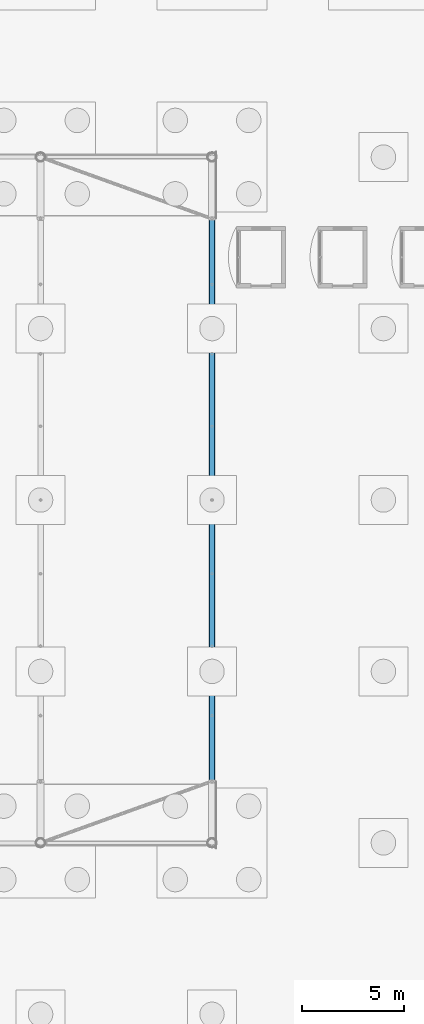
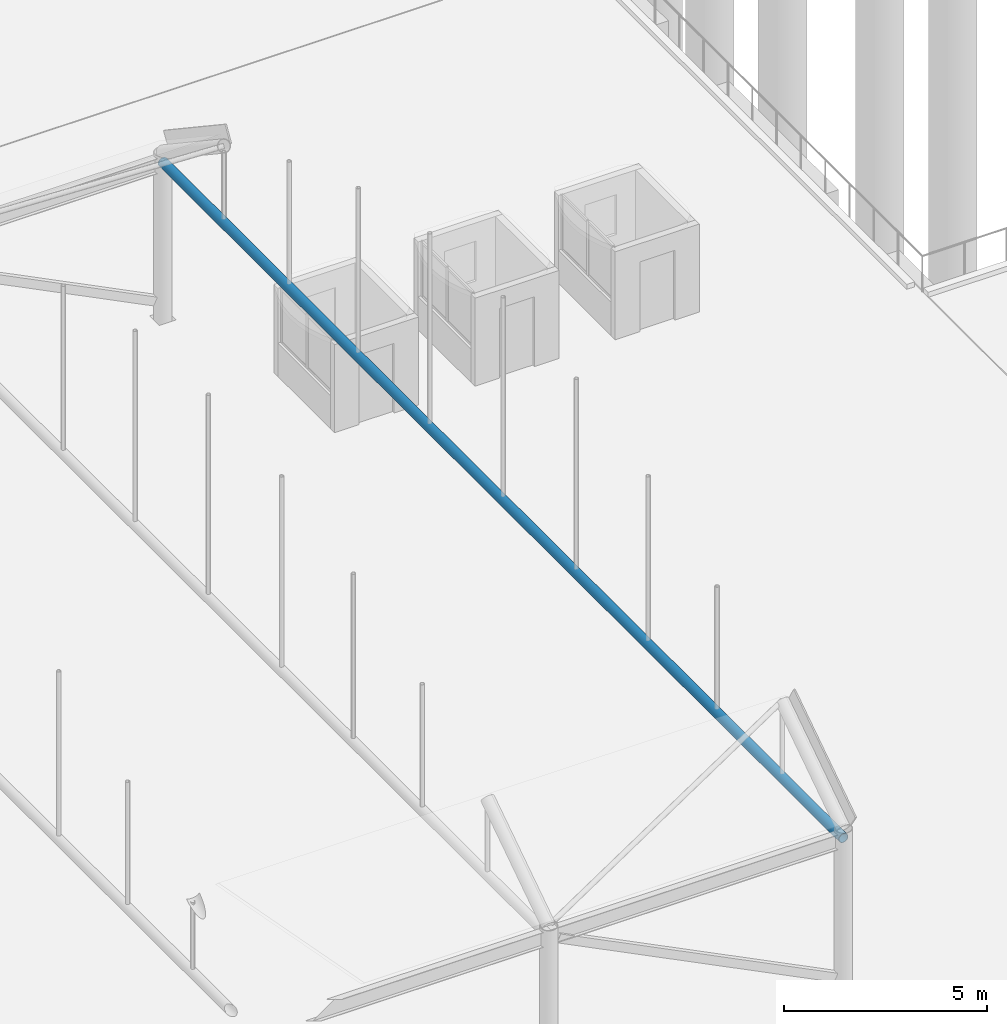
# One storey, part 78 of 212: 1 beam.
"""IFC4 building model written with IfcOpenShell, lengths in metres."""

import ifcopenshell
import ifcopenshell.guid

model = None  # the IFC model being written
_history = None  # IfcOwnerHistory: only IFC2X3 demands one
_inside = {}  # id of a spatial element -> (the spatial element, [elements in it])
_under = {}  # id of a project, library or spatial element -> (it, [spatial elements below it])
_declared = {}  # id of a project -> (the project, [libraries it declares])
_typed = {}  # id of a type object -> (the type object, [elements of that type])
_made_of = {}  # id of a material, layer set ... -> (it, [elements and type objects made of it])


def new_model(schema):
    """Start an empty IFC model of exactly this schema.

    Asked for "IFC4X3", IfcOpenShell would pick the latest addendum, in which some entities
    have other attributes; the version numbers below select the first issue.
    IFC2X3 requires an IfcOwnerHistory on every rooted entity: one is made here for all.
    """
    global model, _history
    if schema == "IFC4X3":
        model = ifcopenshell.file(schema_version=(4, 3, 0, 0))
    else:
        model = ifcopenshell.file(schema=schema)
    _inside.clear()
    _under.clear()
    _declared.clear()
    _typed.clear()
    _made_of.clear()
    _history = None
    if model.schema == "IFC2X3":
        org = make("IfcOrganization", Name="unknown")
        user = make(
            "IfcPersonAndOrganization",
            ThePerson=make("IfcPerson", FamilyName="unknown"),
            TheOrganization=org,
        )
        app = make(
            "IfcApplication",
            ApplicationDeveloper=org,
            Version="unknown",
            ApplicationFullName="unknown",
            ApplicationIdentifier="unknown",
        )
        _history = make(
            "IfcOwnerHistory",
            OwningUser=user,
            OwningApplication=app,
            ChangeAction="ADDED",
            CreationDate=0,
        )
    return model


def make(cls, **values):
    """One entity of the class cls with the attributes given. An attribute that is None is left unset."""
    return model.create_entity(
        cls, **{name: value for name, value in values.items() if value is not None}
    )


def rooted(cls, **values):
    """An entity with a GlobalId (a new one), such as an element, a storey or a relation."""
    return make(cls, GlobalId=ifcopenshell.guid.new(), OwnerHistory=_history, **values)


def si_unit(unit_type, name, prefix=None):
    """IfcSIUnit, for example si_unit("LENGTHUNIT", "METRE", prefix="MILLI")."""
    return make("IfcSIUnit", UnitType=unit_type, Prefix=prefix, Name=name)


def assignment(units):
    """IfcUnitAssignment: the units of a project."""
    return None if units is None else make("IfcUnitAssignment", Units=units)


def point(xyz):
    """IfcCartesianPoint."""
    return None if xyz is None else make("IfcCartesianPoint", Coordinates=xyz)


def direction(xyz):
    """IfcDirection."""
    return None if xyz is None else make("IfcDirection", DirectionRatios=xyz)


def frame(location, z_axis=None, x_axis=None):
    """IfcAxis2Placement3D, a coordinate frame: its origin and axes. An axis left out is left unset."""
    return make(
        "IfcAxis2Placement3D",
        Location=point(location),
        Axis=direction(z_axis),
        RefDirection=direction(x_axis),
    )


def frame_2d(location, x_axis=None):
    """IfcAxis2Placement2D, a coordinate frame in the plane: its origin and x axis."""
    return make(
        "IfcAxis2Placement2D", Location=point(location), RefDirection=direction(x_axis)
    )


def origin():
    """The frame at (0, 0, 0) with its axes left unset."""
    return frame((0.0, 0.0, 0.0))


def origin_2d():
    """The frame at (0, 0) in the plane with its x axis left unset."""
    return frame_2d((0.0, 0.0))


def place(relative_to, where):
    """IfcLocalPlacement: puts the frame where relative to a parent placement (None: the world)."""
    return make(
        "IfcLocalPlacement", PlacementRelTo=relative_to, RelativePlacement=where
    )


def context(
    kind, dimensions, precision=None, world=None, true_north=None, identifier=None
):
    """IfcGeometricRepresentationContext, for example the 3D "Model" context."""
    return make(
        "IfcGeometricRepresentationContext",
        ContextIdentifier=identifier,
        ContextType=kind,
        CoordinateSpaceDimension=dimensions,
        Precision=precision,
        WorldCoordinateSystem=world,
        TrueNorth=true_north,
    )


def subcontext(parent, identifier, kind, view, scale=None):
    """IfcGeometricRepresentationSubContext, for example "Body" below "Model"."""
    return make(
        "IfcGeometricRepresentationSubContext",
        ContextIdentifier=identifier,
        ContextType=kind,
        ParentContext=parent,
        TargetScale=scale,
        TargetView=view,
    )


def project(units=None, contexts=None):
    """IfcProject with its units and contexts."""
    return rooted(
        "IfcProject",
        Name="project",
        RepresentationContexts=contexts,
        UnitsInContext=assignment(units),
    )


def spatial(cls, under=None, at=None, **own):
    """A site, building, storey or space (cls), placed at a placement, below another one or the project."""
    s = rooted(cls, ObjectPlacement=at, **own)
    if under is not None:
        _under.setdefault(under.id(), (under, []))[1].append(s)
    return s


def profile(cls, at=None, kind="AREA", **sizes):
    """A parametric profile (cls). Its sizes go by their IFC names, for example OverallWidth=200.0."""
    return make(cls, ProfileType=kind, Position=at, **sizes)


def hollow_circle(**sizes):
    """IfcCircleHollowProfileDef."""
    return profile("IfcCircleHollowProfileDef", **sizes)


def extrude(swept, where, along, depth):
    """IfcExtrudedAreaSolid: the profile swept, set in the frame where, extruded along a direction by depth."""
    return make(
        "IfcExtrudedAreaSolid",
        SweptArea=swept,
        Position=where,
        ExtrudedDirection=direction(along),
        Depth=depth,
    )


def shape(context_of_items, identifier, shape_type, items):
    """IfcShapeRepresentation: the items that make up one representation, for example the "Body"."""
    return make(
        "IfcShapeRepresentation",
        ContextOfItems=context_of_items,
        RepresentationIdentifier=identifier,
        RepresentationType=shape_type,
        Items=items,
    )


def material(Name=None, Category=None):
    """IfcMaterial."""
    return make("IfcMaterial", Name=Name, Category=Category)


def material_profile(
    of_material, cross_section, Name=None, Category=None, Priority=None
):
    """IfcMaterialProfile: a cross section and its material."""
    return make(
        "IfcMaterialProfile",
        Name=Name,
        Material=of_material,
        Profile=cross_section,
        Priority=Priority,
        Category=Category,
    )


def profile_set(profiles, Name=None, composite=None):
    """IfcMaterialProfileSet."""
    return make(
        "IfcMaterialProfileSet",
        Name=Name,
        MaterialProfiles=profiles,
        CompositeProfile=composite,
    )


def made_of(thing, what):
    """Note that an element or type object is made of a material, layer set ...; save() writes the relation."""
    if what is not None:
        _made_of.setdefault(what.id(), (what, []))[1].append(thing)
    return thing


def type_object(cls, material=None, **own):
    """A type object (cls), such as IfcWallType, which elements share."""
    return made_of(rooted(cls, **own), material)


def element(
    cls,
    number,
    at=None,
    inside=None,
    cuts=None,
    type_object=None,
    material=None,
    context=None,
    identifier="Body",
    shape_type=None,
    held_by="IfcProductDefinitionShape",
    body=None,
    shapes=None,
    **own,
):
    """One element of the class cls, such as IfcWall. Its Tag is "e" and its number.

    at: its placement. inside: the storey or other place that contains it. cuts: it is an
    opening in that element (IfcRelVoidsElement). A single representation is given by context,
    identifier, shape_type and body (its items); several are given by shapes. held_by: the class
    of the entity that holds the representations. save() writes the other relations.
    """
    e = rooted(cls, Tag="e%d" % number, ObjectPlacement=at, **own)
    if body is not None:
        shapes = [shape(context, identifier, shape_type, body)]
    if shapes is not None:
        e.Representation = make(held_by, Representations=shapes)
    if inside is not None:
        _inside.setdefault(inside.id(), (inside, []))[1].append(e)
    if cuts is not None:
        rooted(
            "IfcRelVoidsElement", RelatingBuildingElement=cuts, RelatedOpeningElement=e
        )
    if type_object is not None:
        _typed.setdefault(type_object.id(), (type_object, []))[1].append(e)
    return made_of(e, material)


def aggregate(whole, parts):
    """IfcRelAggregates: a whole, such as a stair, and the parts it consists of."""
    return rooted("IfcRelAggregates", RelatingObject=whole, RelatedObjects=parts)


def save(model, path):
    """Write the relations noted so far, then the file.

    IfcRelAggregates (storeys below a building ...), IfcRelContainedInSpatialStructure (elements
    in a storey), IfcRelDefinesByType, IfcRelAssociatesMaterial and IfcRelDeclares: one each for
    every whole, place, type object, material and project.
    """
    for whole, parts in _under.values():
        aggregate(whole, parts)
    for where, things in _inside.values():
        rooted(
            "IfcRelContainedInSpatialStructure",
            RelatedElements=things,
            RelatingStructure=where,
        )
    for kind, things in _typed.values():
        rooted("IfcRelDefinesByType", RelatedObjects=things, RelatingType=kind)
    for what, things in _made_of.values():
        rooted("IfcRelAssociatesMaterial", RelatedObjects=things, RelatingMaterial=what)
    for by, libraries in _declared.values():
        rooted("IfcRelDeclares", RelatingContext=by, RelatedDefinitions=libraries)
    model.write(path)


model = new_model("IFC4")

# Units and contexts
model_context = context("Model", 3, precision=1e-05, world=origin(), true_north=direction((0.0, 1.0)))
body_context = subcontext(model_context, "Body", "Model", "MODEL_VIEW")
ifc_project = project(units=[si_unit("LENGTHUNIT", "METRE"), si_unit("AREAUNIT", "SQUARE_METRE"), si_unit("VOLUMEUNIT", "CUBIC_METRE"), si_unit("PLANEANGLEUNIT", "RADIAN"), si_unit("MASSUNIT", "GRAM", prefix="KILO")], contexts=[model_context])

# Site, building, storey
site_placement = place(None, origin())
site = spatial("IfcSite", under=ifc_project, at=site_placement, CompositionType="ELEMENT")
building_placement = place(site_placement, origin())
building = spatial("IfcBuilding", under=site, at=building_placement, Name="Catenary Quay Ferry Terminal", CompositionType="ELEMENT")
storey_placement = place(building_placement, origin())
storey = spatial("IfcBuildingStorey", under=building, at=storey_placement, Name="L00", CompositionType="ELEMENT", Elevation=0.0)

# Beam
ifc_material = material(Name="Steel S355", Category="steel")
ifc_material_profile = material_profile(ifc_material, hollow_circle(Radius=0.136474609375, WallThickness=0.012451171875, at=origin_2d()), Name="CHS 273x12.5")
ifc_profile_set = profile_set([ifc_material_profile], Name="Steel S355")
beam_type = type_object("IfcBeamType", Name="TB1 CHS 273x12.5", PredefinedType="BEAM", material=ifc_profile_set)
beam_placement = place(storey_placement, frame((100.800048828125, 16.800048828125, 4.699951171875), z_axis=(0.0, 1.0, 0.0), x_axis=(-1.0, 0.0, 0.0)))
element("IfcBeam", 1, at=beam_placement, inside=storey, type_object=beam_type, Name="tie beam CA-11", PredefinedType="BEAM", context=body_context, shape_type="SweptSolid", body=[
    extrude(hollow_circle(Radius=0.136474609375, WallThickness=0.012451171875, at=origin_2d()), origin(), (0.0, 0.0, 1.0), 33.599853515625),
])

save(model, "model.ifc")
